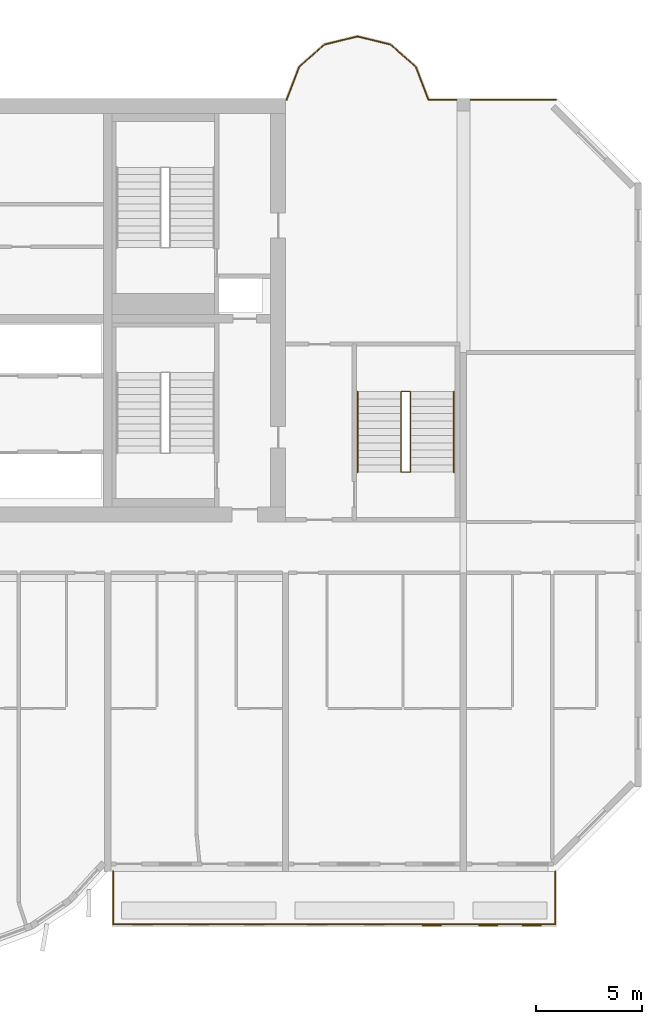
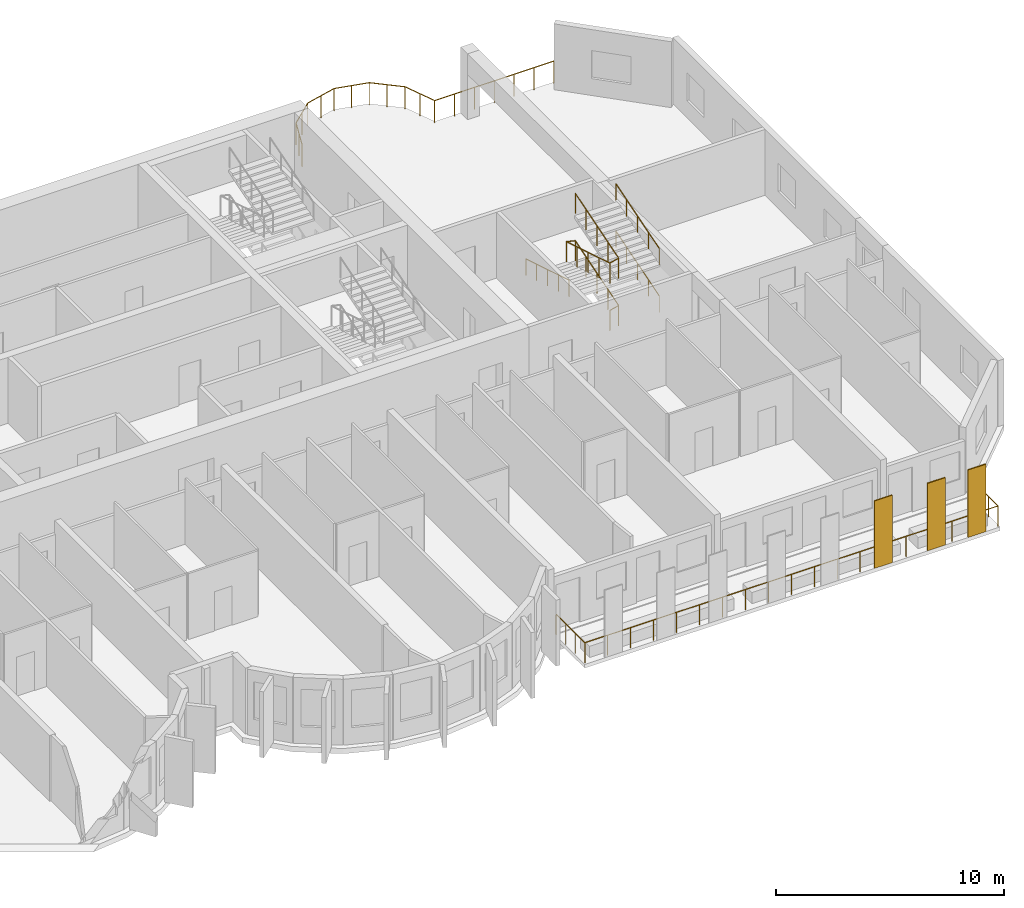
# One storey, part 12 of 13: 6 railings, 3 coverings.
"""IFC4 building model written with IfcOpenShell, lengths in metres."""

from ifc_helpers import new_model, si_unit, direction, frame, origin, origin_2d, place, context, subcontext, project, spatial, rectangle, circle, extrude, source, transform, mapped, material, layer, layer_set, type_object, element, save


model = new_model("IFC4")

# Units and contexts
model_context = context("Model", 3, precision=1e-05, world=origin(), true_north=direction((0.0, 1.0)))
body_context = subcontext(model_context, "Body", "Model", "MODEL_VIEW")
ifc_project = project(units=[si_unit("LENGTHUNIT", "METRE"), si_unit("AREAUNIT", "SQUARE_METRE"), si_unit("VOLUMEUNIT", "CUBIC_METRE"), si_unit("PLANEANGLEUNIT", "RADIAN"), si_unit("MASSUNIT", "GRAM", prefix="KILO")], contexts=[model_context])

# Site, building, storey
site_placement = place(None, origin())
site = spatial("IfcSite", under=ifc_project, at=site_placement, CompositionType="ELEMENT")
building_placement = place(site_placement, origin())
building = spatial("IfcBuilding", under=site, at=building_placement, Name="Vanashikhar Sky Hotel", CompositionType="ELEMENT")
storey_placement = place(building_placement, frame((0.0, 0.0, 155.39990234375)))
storey = spatial("IfcBuildingStorey", under=building, at=storey_placement, Name="L37", CompositionType="ELEMENT", Elevation=155.39990234375)

# Coverings
ifc_material_1 = material(Name="Terracotta", Category="masonry")
ifc_layer = layer(ifc_material_1, 0.06005859375)
ifc_layer_set = layer_set([ifc_layer], Name="Terracotta baguette screen")
covering_type = type_object("IfcCoveringType", Name="Terracotta baguette screen", PredefinedType="CLADDING", material=ifc_layer_set)
shared_shape_1 = source(origin(), body_context, "Body", "SweptSolid", [
    extrude(rectangle(XDim=0.89990234375, YDim=0.06005859375, at=origin_2d()), origin(), (0.0, 0.0, 1.0), 3.60009765625),
])
for number, where, z_axis, x_axis, name in (
    (1, (82.5, 2.929931640625, -0.050048828125), (0.0, 0.0, 1.0), (1.0, 0.0, 0.0), "Terracotta screen"),
    (2, (85.175048828125, 2.929931640625, -0.050048828125), (0.0, 0.0, 1.0), (1.0, 0.0, 0.0), "Terracotta screen"),
    (3, (87.22509765625, 2.929931640625, -0.050048828125), (0.0, 0.0, 1.0), (1.0, 0.0, 0.0), "Terracotta screen"),
):
    element("IfcCovering", number, at=place(storey_placement, frame(where, z_axis=z_axis, x_axis=x_axis)), inside=storey, type_object=covering_type, Name=name, PredefinedType="CLADDING", context=body_context, shape_type="MappedRepresentation", body=[
        mapped(shared_shape_1, transform((0.0, 0.0, 0.0), scale=1.0)),
    ])

# Railings
ifc_material_2 = material(Name="Stainless steel 316", Category="steel")
railing_type_1 = type_object("IfcRailingType", Name="Balcony guard 1100", PredefinedType="GUARDRAIL", material=ifc_material_2)
shared_shape_2 = source(origin(), body_context, "Body", "SweptSolid", [
    extrude(circle(Radius=0.02392578125, at=origin_2d()), frame((0.0, 0.0, 1.076171875), z_axis=(0.0, -1.0, 0.0), x_axis=(1.0, 0.0, 0.0)), (0.0, 0.0, 1.0), 2.5),
    extrude(circle(Radius=0.02392578125, at=origin_2d()), frame((0.0, -2.5, 1.076171875), z_axis=(1.0, 0.0, 0.0), x_axis=(0.0, 1.0, 0.0)), (0.0, 0.0, 1.0), 20.880126953125),
    extrude(circle(Radius=0.02392578125, at=origin_2d()), frame((20.880126953125, -2.5, 1.076171875), z_axis=(0.0, 1.0, 0.0), x_axis=(-1.0, 0.0, 0.0)), (0.0, 0.0, 1.0), 2.5),
    extrude(circle(Radius=0.02099609375, at=origin_2d()), origin(), (0.0, 0.0, 1.0), 1.052001953125),
    extrude(circle(Radius=0.02099609375, at=origin_2d()), frame((0.0, -0.833251953125, 0.0)), (0.0, 0.0, 1.0), 1.052001953125),
    extrude(circle(Radius=0.02099609375, at=origin_2d()), frame((0.0, -1.666748046875, 0.0)), (0.0, 0.0, 1.0), 1.052001953125),
    extrude(circle(Radius=0.02099609375, at=origin_2d()), frame((0.0, -2.5, 0.0)), (0.0, 0.0, 1.0), 1.052001953125),
    extrude(circle(Radius=0.02099609375, at=origin_2d()), frame((1.159912109375, -2.5, 0.0)), (0.0, 0.0, 1.0), 1.052001953125),
    extrude(circle(Radius=0.02099609375, at=origin_2d()), frame((2.320068359375, -2.5, 0.0)), (0.0, 0.0, 1.0), 1.052001953125),
    extrude(circle(Radius=0.02099609375, at=origin_2d()), frame((3.47998046875, -2.5, 0.0)), (0.0, 0.0, 1.0), 1.052001953125),
    extrude(circle(Radius=0.02099609375, at=origin_2d()), frame((4.64013671875, -2.5, 0.0)), (0.0, 0.0, 1.0), 1.052001953125),
    extrude(circle(Radius=0.02099609375, at=origin_2d()), frame((5.800048828125, -2.5, 0.0)), (0.0, 0.0, 1.0), 1.052001953125),
    extrude(circle(Radius=0.02099609375, at=origin_2d()), frame((6.9599609375, -2.5, 0.0)), (0.0, 0.0, 1.0), 1.052001953125),
    extrude(circle(Radius=0.02099609375, at=origin_2d()), frame((8.1201171875, -2.5, 0.0)), (0.0, 0.0, 1.0), 1.052001953125),
    extrude(circle(Radius=0.02099609375, at=origin_2d()), frame((9.280029296875, -2.5, 0.0)), (0.0, 0.0, 1.0), 1.052001953125),
    extrude(circle(Radius=0.02099609375, at=origin_2d()), frame((10.43994140625, -2.5, 0.0)), (0.0, 0.0, 1.0), 1.052001953125),
    extrude(circle(Radius=0.02099609375, at=origin_2d()), frame((11.60009765625, -2.5, 0.0)), (0.0, 0.0, 1.0), 1.052001953125),
    extrude(circle(Radius=0.02099609375, at=origin_2d()), frame((12.760009765625, -2.5, 0.0)), (0.0, 0.0, 1.0), 1.052001953125),
    extrude(circle(Radius=0.02099609375, at=origin_2d()), frame((13.920166015625, -2.5, 0.0)), (0.0, 0.0, 1.0), 1.052001953125),
    extrude(circle(Radius=0.02099609375, at=origin_2d()), frame((15.080078125, -2.5, 0.0)), (0.0, 0.0, 1.0), 1.052001953125),
    extrude(circle(Radius=0.02099609375, at=origin_2d()), frame((16.239990234375, -2.5, 0.0)), (0.0, 0.0, 1.0), 1.052001953125),
    extrude(circle(Radius=0.02099609375, at=origin_2d()), frame((17.400146484375, -2.5, 0.0)), (0.0, 0.0, 1.0), 1.052001953125),
    extrude(circle(Radius=0.02099609375, at=origin_2d()), frame((18.56005859375, -2.5, 0.0)), (0.0, 0.0, 1.0), 1.052001953125),
    extrude(circle(Radius=0.02099609375, at=origin_2d()), frame((19.72021484375, -2.5, 0.0)), (0.0, 0.0, 1.0), 1.052001953125),
    extrude(circle(Radius=0.02099609375, at=origin_2d()), frame((20.880126953125, -2.5, 0.0)), (0.0, 0.0, 1.0), 1.052001953125),
    extrude(circle(Radius=0.02099609375, at=origin_2d()), frame((20.880126953125, -1.666748046875, 0.0)), (0.0, 0.0, 1.0), 1.052001953125),
    extrude(circle(Radius=0.02099609375, at=origin_2d()), frame((20.880126953125, -0.833251953125, 0.0)), (0.0, 0.0, 1.0), 1.052001953125),
    extrude(circle(Radius=0.02099609375, at=origin_2d()), frame((20.880126953125, 0.0, 0.0)), (0.0, 0.0, 1.0), 1.052001953125),
])
railing_1_placement = place(storey_placement, frame((67.4599609375, 5.5, -0.0498046875)))
element("IfcRailing", 4, at=railing_1_placement, inside=storey, type_object=railing_type_1, Name="Balcony guard", PredefinedType="GUARDRAIL", context=body_context, shape_type="MappedRepresentation", body=[
    mapped(shared_shape_2, transform((0.0, 0.0, 0.0), scale=1.0)),
])
railing_type_2 = type_object("IfcRailingType", Name="Refuge terrace guard 1200", PredefinedType="GUARDRAIL", material=ifc_material_2)
shared_shape_3 = source(origin(), body_context, "Body", "SweptSolid", [
    extrude(circle(Radius=0.02392578125, at=origin_2d()), frame((0.0, 0.0, 1.17578125), z_axis=(-1.0, 0.0, 0.0), x_axis=(0.0, -1.0, 0.0)), (0.0, 0.0, 1.0), 6.019287109375),
    extrude(circle(Radius=0.02392578125, at=origin_2d()), frame((-6.019287109375, 0.0, 1.17578125), z_axis=(-0.357682612009, 0.933843214392, 0.0), x_axis=(-0.933843214392, -0.357682612009, 0.0)), (0.0, 0.0, 1.0), 1.666015625),
    extrude(circle(Radius=0.02392578125, at=origin_2d()), frame((-6.615234375, 1.555908203125, 1.17578125), z_axis=(-0.749699987355, 0.661777854692, 0.0), x_axis=(-0.661777854692, -0.749699987355, 0.0)), (0.0, 0.0, 1.0), 1.602294921875),
    extrude(circle(Radius=0.02392578125, at=origin_2d()), frame((-7.81640625, 2.6162109375, 1.17578125), z_axis=(-0.971138901218, 0.238514642196, 0.0), x_axis=(-0.238514642196, -0.971138901218, 0.0)), (0.0, 0.0, 1.0), 1.600830078125),
    extrude(circle(Radius=0.02392578125, at=origin_2d()), frame((-9.37109375, 2.998046875, 1.17578125), z_axis=(-0.971138901218, -0.238514642196, 0.0), x_axis=(0.238514642196, -0.971138901218, 0.0)), (0.0, 0.0, 1.0), 1.600830078125),
    extrude(circle(Radius=0.02392578125, at=origin_2d()), frame((-10.92578125, 2.6162109375, 1.17578125), z_axis=(-0.749699987355, -0.661777854692, 0.0), x_axis=(0.661777854692, -0.749699987355, 0.0)), (0.0, 0.0, 1.0), 1.602294921875),
    extrude(circle(Radius=0.02392578125, at=origin_2d()), frame((-12.126953125, 1.555908203125, 1.17578125), z_axis=(-0.357682612009, -0.933843214392, 0.0), x_axis=(0.933843214392, -0.357682612009, 0.0)), (0.0, 0.0, 1.0), 1.666015625),
    extrude(circle(Radius=0.02099609375, at=origin_2d()), origin(), (0.0, 0.0, 1.0), 1.15185546875),
    extrude(circle(Radius=0.02099609375, at=origin_2d()), frame((-1.003173828125, 0.0, 0.0)), (0.0, 0.0, 1.0), 1.15185546875),
    extrude(circle(Radius=0.02099609375, at=origin_2d()), frame((-2.00634765625, 0.0, 0.0)), (0.0, 0.0, 1.0), 1.15185546875),
    extrude(circle(Radius=0.02099609375, at=origin_2d()), frame((-3.009765625, 0.0, 0.0)), (0.0, 0.0, 1.0), 1.15185546875),
    extrude(circle(Radius=0.02099609375, at=origin_2d()), frame((-4.012939453125, 0.0, 0.0)), (0.0, 0.0, 1.0), 1.15185546875),
    extrude(circle(Radius=0.02099609375, at=origin_2d()), frame((-5.01611328125, 0.0, 0.0)), (0.0, 0.0, 1.0), 1.15185546875),
    extrude(circle(Radius=0.02099609375, at=origin_2d()), frame((-6.019287109375, 0.0, 0.0)), (0.0, 0.0, 1.0), 1.15185546875),
    extrude(circle(Radius=0.02099609375, at=origin_2d()), frame((-6.3173828125, 0.77783203125, 0.0)), (0.0, 0.0, 1.0), 1.15185546875),
    extrude(circle(Radius=0.02099609375, at=origin_2d()), frame((-6.615234375, 1.555908203125, 0.0)), (0.0, 0.0, 1.0), 1.15185546875),
    extrude(circle(Radius=0.02099609375, at=origin_2d()), frame((-7.2158203125, 2.0859375, 0.0)), (0.0, 0.0, 1.0), 1.15185546875),
    extrude(circle(Radius=0.02099609375, at=origin_2d()), frame((-7.81640625, 2.6162109375, 0.0)), (0.0, 0.0, 1.0), 1.15185546875),
    extrude(circle(Radius=0.02099609375, at=origin_2d()), frame((-8.59375, 2.80712890625, 0.0)), (0.0, 0.0, 1.0), 1.15185546875),
    extrude(circle(Radius=0.02099609375, at=origin_2d()), frame((-9.37109375, 2.998046875, 0.0)), (0.0, 0.0, 1.0), 1.15185546875),
    extrude(circle(Radius=0.02099609375, at=origin_2d()), frame((-10.1484375, 2.80712890625, 0.0)), (0.0, 0.0, 1.0), 1.15185546875),
    extrude(circle(Radius=0.02099609375, at=origin_2d()), frame((-10.92578125, 2.6162109375, 0.0)), (0.0, 0.0, 1.0), 1.15185546875),
    extrude(circle(Radius=0.02099609375, at=origin_2d()), frame((-11.5263671875, 2.0859375, 0.0)), (0.0, 0.0, 1.0), 1.15185546875),
    extrude(circle(Radius=0.02099609375, at=origin_2d()), frame((-12.126953125, 1.555908203125, 0.0)), (0.0, 0.0, 1.0), 1.15185546875),
    extrude(circle(Radius=0.02099609375, at=origin_2d()), frame((-12.4248046875, 0.77783203125, 0.0)), (0.0, 0.0, 1.0), 1.15185546875),
    extrude(circle(Radius=0.02099609375, at=origin_2d()), frame((-12.722900390625, 0.0, 0.0)), (0.0, 0.0, 1.0), 1.15185546875),
])
railing_2_placement = place(storey_placement, frame((88.37109375, 41.929931640625, 0.0)))
element("IfcRailing", 5, at=railing_2_placement, inside=storey, type_object=railing_type_2, Name="Refuge terrace guard", PredefinedType="GUARDRAIL", context=body_context, shape_type="MappedRepresentation", body=[
    mapped(shared_shape_3, transform((0.0, 0.0, 0.0), scale=1.0)),
])
ifc_material_3 = material(Name="Steel S355", Category="steel")
railing_type_3 = type_object("IfcRailingType", Name="Stair handrail 900", PredefinedType="HANDRAIL", material=ifc_material_3)
shared_shape_4 = source(origin(), body_context, "Body", "SweptSolid", [
    extrude(circle(Radius=0.02392578125, at=origin_2d()), frame((0.0, 0.0, 0.8759765625), z_axis=(0.0, 0.956345846891, 0.292237268557), x_axis=(-1.0, 0.0, 0.0)), (0.0, 0.0, 1.0), 3.97314453125),
    extrude(circle(Radius=0.02099609375, at=origin_2d()), origin(), (0.0, 0.0, 1.0), 0.851806640625),
    extrude(circle(Radius=0.02099609375, at=origin_2d()), frame((0.0, 0.949951171875, 0.290283203125)), (0.0, 0.0, 1.0), 0.851806640625),
    extrude(circle(Radius=0.02099609375, at=origin_2d()), frame((0.0, 1.89990234375, 0.58056640625)), (0.0, 0.0, 1.0), 0.851806640625),
    extrude(circle(Radius=0.02099609375, at=origin_2d()), frame((0.0, 2.849853515625, 0.870849609375)), (0.0, 0.0, 1.0), 0.851806640625),
    extrude(circle(Radius=0.02099609375, at=origin_2d()), frame((0.0, 3.7998046875, 1.1611328125)), (0.0, 0.0, 1.0), 0.851806640625),
])
for number, where, name in (
    (6, (83.550048828125, 24.35009765625, 0.105712890625), "Exit stair 4 handrail"),
    (7, (83.550048828125, 24.35009765625, 2.638916015625), "Exit stair 4 handrail"),
):
    element("IfcRailing", number, at=place(storey_placement, frame(where)), inside=storey, type_object=railing_type_3, Name=name, PredefinedType="HANDRAIL", context=body_context, shape_type="MappedRepresentation", body=[
        mapped(shared_shape_4, transform((0.0, 0.0, 0.0), scale=1.0)),
    ])
shared_shape_5 = source(origin(), body_context, "Body", "SweptSolid", [
    extrude(circle(Radius=0.02392578125, at=origin_2d()), frame((0.0, 0.0, 0.8759765625), z_axis=(0.0, -0.956345846891, 0.292237268557), x_axis=(1.0, 0.0, 0.0)), (0.0, 0.0, 1.0), 3.97314453125),
    extrude(circle(Radius=0.02099609375, at=origin_2d()), origin(), (0.0, 0.0, 1.0), 0.851806640625),
    extrude(circle(Radius=0.02099609375, at=origin_2d()), frame((0.0, -0.949951171875, 0.290283203125)), (0.0, 0.0, 1.0), 0.851806640625),
    extrude(circle(Radius=0.02099609375, at=origin_2d()), frame((0.0, -1.89990234375, 0.58056640625)), (0.0, 0.0, 1.0), 0.851806640625),
    extrude(circle(Radius=0.02099609375, at=origin_2d()), frame((0.0, -2.849853515625, 0.870849609375)), (0.0, 0.0, 1.0), 0.851806640625),
    extrude(circle(Radius=0.02099609375, at=origin_2d()), frame((0.0, -3.7998046875, 1.1611328125)), (0.0, 0.0, 1.0), 0.851806640625),
])
railing_3_placement = place(storey_placement, frame((79.0, 28.14990234375, 1.372314453125)))
element("IfcRailing", 8, at=railing_3_placement, inside=storey, type_object=railing_type_3, Name="Exit stair 4 handrail", PredefinedType="HANDRAIL", context=body_context, shape_type="MappedRepresentation", body=[
    mapped(shared_shape_5, transform((0.0, 0.0, 0.0), scale=1.0)),
])
railing_type_4 = type_object("IfcRailingType", Name="Stair guard 1100", PredefinedType="GUARDRAIL", material=ifc_material_3)
shared_shape_6 = source(origin(), body_context, "Body", "SweptSolid", [
    extrude(circle(Radius=0.02392578125, at=origin_2d()), frame((0.0, 0.0, 1.076171875), z_axis=(0.973493315427, 0.0, 0.228715466945), x_axis=(0.0, 1.0, 0.0)), (0.0, 0.0, 1.0), 0.462158203125),
    extrude(circle(Radius=0.02392578125, at=origin_2d()), frame((0.449951171875, 0.0, 1.181640625), z_axis=(0.0, 0.956345846891, 0.292237268557), x_axis=(-1.0, 0.0, 0.0)), (0.0, 0.0, 1.0), 3.97314453125),
    extrude(circle(Radius=0.02392578125, at=origin_2d()), frame((0.449951171875, 3.7998046875, 2.3427734375), z_axis=(-0.973610808694, 0.0, 0.228214796178), x_axis=(0.0, -1.0, 0.0)), (0.0, 0.0, 1.0), 0.462158203125),
    extrude(circle(Radius=0.02392578125, at=origin_2d()), frame((0.0, 3.7998046875, 2.4482421875), z_axis=(0.0, -0.956345846891, 0.292237268557), x_axis=(1.0, 0.0, 0.0)), (0.0, 0.0, 1.0), 3.97314453125),
    extrude(circle(Radius=0.02392578125, at=origin_2d()), frame((0.0, 0.0, 3.609375), z_axis=(0.973610808694, 0.0, 0.228214796178), x_axis=(0.0, 1.0, 0.0)), (0.0, 0.0, 1.0), 0.462158203125),
    extrude(circle(Radius=0.02392578125, at=origin_2d()), frame((0.449951171875, 0.0, 3.71484375), z_axis=(0.0, 0.956345846891, 0.292237268557), x_axis=(-1.0, 0.0, 0.0)), (0.0, 0.0, 1.0), 3.97314453125),
    extrude(circle(Radius=0.02099609375, at=origin_2d()), origin(), (0.0, 0.0, 1.0), 1.052001953125),
    extrude(circle(Radius=0.02099609375, at=origin_2d()), frame((0.449951171875, 0.0, 0.105712890625)), (0.0, 0.0, 1.0), 1.052001953125),
    extrude(circle(Radius=0.02099609375, at=origin_2d()), frame((0.449951171875, 0.949951171875, 0.39599609375)), (0.0, 0.0, 1.0), 1.052001953125),
    extrude(circle(Radius=0.02099609375, at=origin_2d()), frame((0.449951171875, 1.89990234375, 0.686279296875)), (0.0, 0.0, 1.0), 1.052001953125),
    extrude(circle(Radius=0.02099609375, at=origin_2d()), frame((0.449951171875, 2.849853515625, 0.9765625)), (0.0, 0.0, 1.0), 1.052001953125),
    extrude(circle(Radius=0.02099609375, at=origin_2d()), frame((0.449951171875, 3.7998046875, 1.266845703125)), (0.0, 0.0, 1.0), 1.052001953125),
    extrude(circle(Radius=0.02099609375, at=origin_2d()), frame((0.0, 3.7998046875, 1.372314453125)), (0.0, 0.0, 1.0), 1.052001953125),
    extrude(circle(Radius=0.02099609375, at=origin_2d()), frame((0.0, 2.849853515625, 1.66259765625)), (0.0, 0.0, 1.0), 1.052001953125),
    extrude(circle(Radius=0.02099609375, at=origin_2d()), frame((0.0, 1.89990234375, 1.952880859375)), (0.0, 0.0, 1.0), 1.052001953125),
    extrude(circle(Radius=0.02099609375, at=origin_2d()), frame((0.0, 0.949951171875, 2.2431640625)), (0.0, 0.0, 1.0), 1.052001953125),
    extrude(circle(Radius=0.02099609375, at=origin_2d()), frame((0.0, 0.0, 2.533447265625)), (0.0, 0.0, 1.0), 1.052001953125),
    extrude(circle(Radius=0.02099609375, at=origin_2d()), frame((0.449951171875, 0.0, 2.638916015625)), (0.0, 0.0, 1.0), 1.052001953125),
    extrude(circle(Radius=0.02099609375, at=origin_2d()), frame((0.449951171875, 0.949951171875, 2.92919921875)), (0.0, 0.0, 1.0), 1.052001953125),
    extrude(circle(Radius=0.02099609375, at=origin_2d()), frame((0.449951171875, 1.89990234375, 3.219482421875)), (0.0, 0.0, 1.0), 1.052001953125),
    extrude(circle(Radius=0.02099609375, at=origin_2d()), frame((0.449951171875, 2.849853515625, 3.509765625)), (0.0, 0.0, 1.0), 1.052001953125),
    extrude(circle(Radius=0.02099609375, at=origin_2d()), frame((0.449951171875, 3.7998046875, 3.800048828125)), (0.0, 0.0, 1.0), 1.052001953125),
])
railing_4_placement = place(storey_placement, frame((81.050048828125, 24.35009765625, 0.0)))
element("IfcRailing", 9, at=railing_4_placement, inside=storey, type_object=railing_type_4, Name="Exit stair 4 guard", PredefinedType="GUARDRAIL", context=body_context, shape_type="MappedRepresentation", body=[
    mapped(shared_shape_6, transform((0.0, 0.0, 0.0), scale=1.0)),
])

save(model, "model.ifc")
